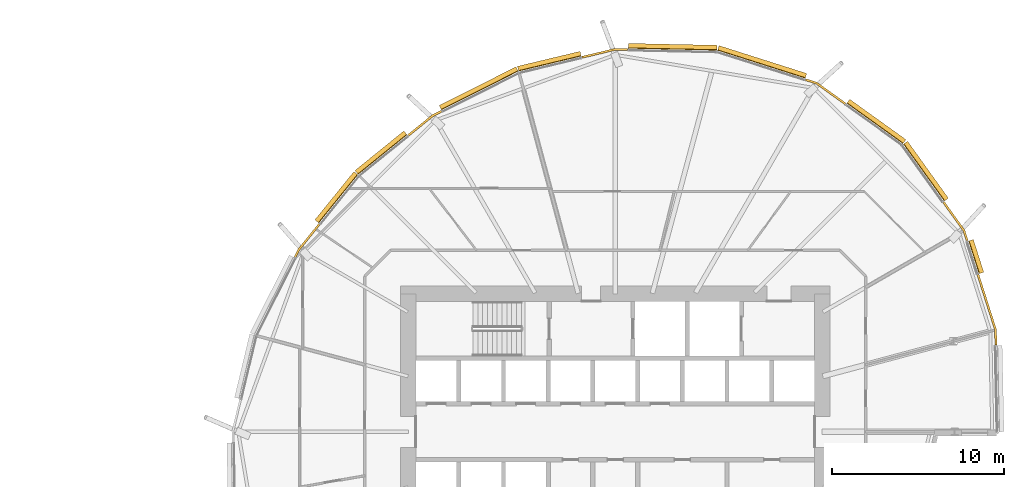
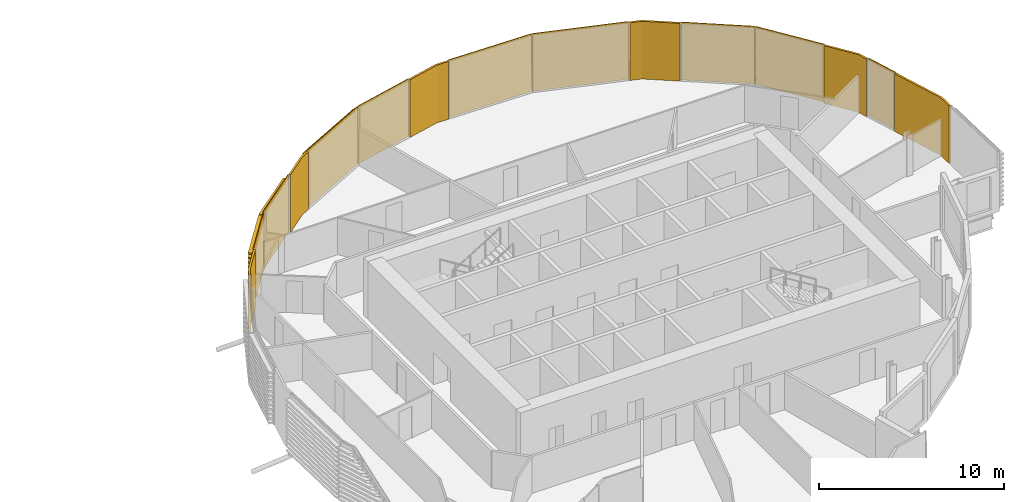
# One storey, part 38 of 38: 15 coverings.
"""IFC4 building model written with IfcOpenShell, lengths in metres."""

import ifcopenshell
import ifcopenshell.guid

model = None  # the IFC model being written
_history = None  # IfcOwnerHistory: only IFC2X3 demands one
_inside = {}  # id of a spatial element -> (the spatial element, [elements in it])
_under = {}  # id of a project, library or spatial element -> (it, [spatial elements below it])
_declared = {}  # id of a project -> (the project, [libraries it declares])
_typed = {}  # id of a type object -> (the type object, [elements of that type])
_made_of = {}  # id of a material, layer set ... -> (it, [elements and type objects made of it])


def new_model(schema):
    """Start an empty IFC model of exactly this schema.

    Asked for "IFC4X3", IfcOpenShell would pick the latest addendum, in which some entities
    have other attributes; the version numbers below select the first issue.
    IFC2X3 requires an IfcOwnerHistory on every rooted entity: one is made here for all.
    """
    global model, _history
    if schema == "IFC4X3":
        model = ifcopenshell.file(schema_version=(4, 3, 0, 0))
    else:
        model = ifcopenshell.file(schema=schema)
    _inside.clear()
    _under.clear()
    _declared.clear()
    _typed.clear()
    _made_of.clear()
    _history = None
    if model.schema == "IFC2X3":
        org = make("IfcOrganization", Name="unknown")
        user = make(
            "IfcPersonAndOrganization",
            ThePerson=make("IfcPerson", FamilyName="unknown"),
            TheOrganization=org,
        )
        app = make(
            "IfcApplication",
            ApplicationDeveloper=org,
            Version="unknown",
            ApplicationFullName="unknown",
            ApplicationIdentifier="unknown",
        )
        _history = make(
            "IfcOwnerHistory",
            OwningUser=user,
            OwningApplication=app,
            ChangeAction="ADDED",
            CreationDate=0,
        )
    return model


def make(cls, **values):
    """One entity of the class cls with the attributes given. An attribute that is None is left unset."""
    return model.create_entity(
        cls, **{name: value for name, value in values.items() if value is not None}
    )


def rooted(cls, **values):
    """An entity with a GlobalId (a new one), such as an element, a storey or a relation."""
    return make(cls, GlobalId=ifcopenshell.guid.new(), OwnerHistory=_history, **values)


def si_unit(unit_type, name, prefix=None):
    """IfcSIUnit, for example si_unit("LENGTHUNIT", "METRE", prefix="MILLI")."""
    return make("IfcSIUnit", UnitType=unit_type, Prefix=prefix, Name=name)


def assignment(units):
    """IfcUnitAssignment: the units of a project."""
    return None if units is None else make("IfcUnitAssignment", Units=units)


def point(xyz):
    """IfcCartesianPoint."""
    return None if xyz is None else make("IfcCartesianPoint", Coordinates=xyz)


def direction(xyz):
    """IfcDirection."""
    return None if xyz is None else make("IfcDirection", DirectionRatios=xyz)


def frame(location, z_axis=None, x_axis=None):
    """IfcAxis2Placement3D, a coordinate frame: its origin and axes. An axis left out is left unset."""
    return make(
        "IfcAxis2Placement3D",
        Location=point(location),
        Axis=direction(z_axis),
        RefDirection=direction(x_axis),
    )


def origin():
    """The frame at (0, 0, 0) with its axes left unset."""
    return frame((0.0, 0.0, 0.0))


def place(relative_to, where):
    """IfcLocalPlacement: puts the frame where relative to a parent placement (None: the world)."""
    return make(
        "IfcLocalPlacement", PlacementRelTo=relative_to, RelativePlacement=where
    )


def context(
    kind, dimensions, precision=None, world=None, true_north=None, identifier=None
):
    """IfcGeometricRepresentationContext, for example the 3D "Model" context."""
    return make(
        "IfcGeometricRepresentationContext",
        ContextIdentifier=identifier,
        ContextType=kind,
        CoordinateSpaceDimension=dimensions,
        Precision=precision,
        WorldCoordinateSystem=world,
        TrueNorth=true_north,
    )


def subcontext(parent, identifier, kind, view, scale=None):
    """IfcGeometricRepresentationSubContext, for example "Body" below "Model"."""
    return make(
        "IfcGeometricRepresentationSubContext",
        ContextIdentifier=identifier,
        ContextType=kind,
        ParentContext=parent,
        TargetScale=scale,
        TargetView=view,
    )


def project(units=None, contexts=None):
    """IfcProject with its units and contexts."""
    return rooted(
        "IfcProject",
        Name="project",
        RepresentationContexts=contexts,
        UnitsInContext=assignment(units),
    )


def spatial(cls, under=None, at=None, **own):
    """A site, building, storey or space (cls), placed at a placement, below another one or the project."""
    s = rooted(cls, ObjectPlacement=at, **own)
    if under is not None:
        _under.setdefault(under.id(), (under, []))[1].append(s)
    return s


def polyline(points):
    """IfcPolyline through the points."""
    return make("IfcPolyline", Points=[point(p) for p in points])


def outline(outer, holes=None, kind="AREA"):
    """IfcArbitraryClosedProfileDef: a profile drawn as a closed curve; with holes, ...WithVoids."""
    if holes is None:
        return make("IfcArbitraryClosedProfileDef", ProfileType=kind, OuterCurve=outer)
    return make(
        "IfcArbitraryProfileDefWithVoids",
        ProfileType=kind,
        OuterCurve=outer,
        InnerCurves=holes,
    )


def extrude(swept, where, along, depth):
    """IfcExtrudedAreaSolid: the profile swept, set in the frame where, extruded along a direction by depth."""
    return make(
        "IfcExtrudedAreaSolid",
        SweptArea=swept,
        Position=where,
        ExtrudedDirection=direction(along),
        Depth=depth,
    )


def shape(context_of_items, identifier, shape_type, items):
    """IfcShapeRepresentation: the items that make up one representation, for example the "Body"."""
    return make(
        "IfcShapeRepresentation",
        ContextOfItems=context_of_items,
        RepresentationIdentifier=identifier,
        RepresentationType=shape_type,
        Items=items,
    )


def material(Name=None, Category=None):
    """IfcMaterial."""
    return make("IfcMaterial", Name=Name, Category=Category)


def layer(
    of_material, thickness, ventilated=None, Name=None, Category=None, Priority=None
):
    """IfcMaterialLayer: one layer of a wall or slab, of a material (None: an air gap)."""
    return make(
        "IfcMaterialLayer",
        Material=of_material,
        LayerThickness=thickness,
        IsVentilated=ventilated,
        Name=Name,
        Category=Category,
        Priority=Priority,
    )


def layer_set(layers, Name=None):
    """IfcMaterialLayerSet."""
    return make("IfcMaterialLayerSet", MaterialLayers=layers, LayerSetName=Name)


def material_profile(
    of_material, cross_section, Name=None, Category=None, Priority=None
):
    """IfcMaterialProfile: a cross section and its material."""
    return make(
        "IfcMaterialProfile",
        Name=Name,
        Material=of_material,
        Profile=cross_section,
        Priority=Priority,
        Category=Category,
    )


def profile_set(profiles, Name=None, composite=None):
    """IfcMaterialProfileSet."""
    return make(
        "IfcMaterialProfileSet",
        Name=Name,
        MaterialProfiles=profiles,
        CompositeProfile=composite,
    )


def made_of(thing, what):
    """Note that an element or type object is made of a material, layer set ...; save() writes the relation."""
    if what is not None:
        _made_of.setdefault(what.id(), (what, []))[1].append(thing)
    return thing


def type_object(cls, material=None, **own):
    """A type object (cls), such as IfcWallType, which elements share."""
    return made_of(rooted(cls, **own), material)


def element(
    cls,
    number,
    at=None,
    inside=None,
    cuts=None,
    type_object=None,
    material=None,
    context=None,
    identifier="Body",
    shape_type=None,
    held_by="IfcProductDefinitionShape",
    body=None,
    shapes=None,
    **own,
):
    """One element of the class cls, such as IfcWall. Its Tag is "e" and its number.

    at: its placement. inside: the storey or other place that contains it. cuts: it is an
    opening in that element (IfcRelVoidsElement). A single representation is given by context,
    identifier, shape_type and body (its items); several are given by shapes. held_by: the class
    of the entity that holds the representations. save() writes the other relations.
    """
    e = rooted(cls, Tag="e%d" % number, ObjectPlacement=at, **own)
    if body is not None:
        shapes = [shape(context, identifier, shape_type, body)]
    if shapes is not None:
        e.Representation = make(held_by, Representations=shapes)
    if inside is not None:
        _inside.setdefault(inside.id(), (inside, []))[1].append(e)
    if cuts is not None:
        rooted(
            "IfcRelVoidsElement", RelatingBuildingElement=cuts, RelatedOpeningElement=e
        )
    if type_object is not None:
        _typed.setdefault(type_object.id(), (type_object, []))[1].append(e)
    return made_of(e, material)


def aggregate(whole, parts):
    """IfcRelAggregates: a whole, such as a stair, and the parts it consists of."""
    return rooted("IfcRelAggregates", RelatingObject=whole, RelatedObjects=parts)


def save(model, path):
    """Write the relations noted so far, then the file.

    IfcRelAggregates (storeys below a building ...), IfcRelContainedInSpatialStructure (elements
    in a storey), IfcRelDefinesByType, IfcRelAssociatesMaterial and IfcRelDeclares: one each for
    every whole, place, type object, material and project.
    """
    for whole, parts in _under.values():
        aggregate(whole, parts)
    for where, things in _inside.values():
        rooted(
            "IfcRelContainedInSpatialStructure",
            RelatedElements=things,
            RelatingStructure=where,
        )
    for kind, things in _typed.values():
        rooted("IfcRelDefinesByType", RelatedObjects=things, RelatingType=kind)
    for what, things in _made_of.values():
        rooted("IfcRelAssociatesMaterial", RelatedObjects=things, RelatingMaterial=what)
    for by, libraries in _declared.values():
        rooted("IfcRelDeclares", RelatingContext=by, RelatedDefinitions=libraries)
    model.write(path)


model = new_model("IFC4")

# Units and contexts
model_context = context("Model", 3, precision=1e-05, world=origin(), true_north=direction((0.0, 1.0)))
body_context = subcontext(model_context, "Body", "Model", "MODEL_VIEW")
ifc_project = project(units=[si_unit("LENGTHUNIT", "METRE"), si_unit("AREAUNIT", "SQUARE_METRE"), si_unit("VOLUMEUNIT", "CUBIC_METRE"), si_unit("PLANEANGLEUNIT", "RADIAN"), si_unit("MASSUNIT", "GRAM", prefix="KILO")], contexts=[model_context])

# Site, building, storey
site_placement = place(None, origin())
site = spatial("IfcSite", under=ifc_project, at=site_placement, CompositionType="ELEMENT")
building_placement = place(site_placement, origin())
building = spatial("IfcBuilding", under=site, at=building_placement, Name="Rimbun Link Towers", CompositionType="ELEMENT")
storey_placement = place(building_placement, frame((0.0, 0.0, 68.0)))
storey = spatial("IfcBuildingStorey", under=building, at=storey_placement, Name="L16", CompositionType="ELEMENT", Elevation=68.0)

# Coverings
ifc_material_1 = material(Name="Terracotta", Category="masonry")
ifc_layer = layer(ifc_material_1, 0.1201171875)
ifc_layer_set = layer_set([ifc_layer], Name="LINK PIER terracotta cladding 120")
covering_type_1 = type_object("IfcCoveringType", Name="LINK PIER terracotta cladding 120", PredefinedType="CLADDING", material=ifc_layer_set)
covering_1_placement = place(storey_placement, origin())
element("IfcCovering", 1, at=covering_1_placement, inside=storey, type_object=covering_type_1, Name="LINK PIER cladding", PredefinedType="CLADDING", context=body_context, shape_type="SweptSolid", body=[
    extrude(outline(polyline([(42.759765625, 20.378662109375), (43.398193359375, 20.175537109375), (45.080078125, 18.96875), (45.150146484375, 19.066162109375), (43.452880859375, 20.2841796875), (42.796142578125, 20.492919921875), (42.759765625, 20.378662109375)])), origin(), (0.0, 0.0, 1.0), 3.800048828125),
])
covering_2_placement = place(storey_placement, origin())
element("IfcCovering", 2, at=covering_2_placement, inside=storey, type_object=covering_type_1, Name="LINK PIER cladding", PredefinedType="CLADDING", context=body_context, shape_type="SweptSolid", body=[
    extrude(outline(polyline([(29.833984375, 21.670654296875), (31.75, 22.12890625), (32.4697265625, 22.11376953125), (32.472412109375, 22.23388671875), (31.737060546875, 22.249267578125), (29.80615234375, 21.78759765625), (29.833984375, 21.670654296875)])), origin(), (0.0, 0.0, 1.0), 3.800048828125),
])
covering_3_placement = place(storey_placement, origin())
element("IfcCovering", 3, at=covering_3_placement, inside=storey, type_object=covering_type_1, Name="LINK PIER cladding", PredefinedType="CLADDING", context=body_context, shape_type="SweptSolid", body=[
    extrude(outline(polyline([(19.77490234375, 17.146240234375), (21.189453125, 18.291259765625), (21.698974609375, 18.547119140625), (21.64501953125, 18.654296875), (21.1240234375, 18.392822265625), (19.699462890625, 17.239501953125), (19.77490234375, 17.146240234375)])), origin(), (0.0, 0.0, 1.0), 3.800048828125),
])
covering_4_placement = place(storey_placement, origin())
element("IfcCovering", 4, at=covering_4_placement, inside=storey, type_object=covering_type_1, Name="LINK PIER cladding", PredefinedType="CLADDING", context=body_context, shape_type="SweptSolid", body=[
    extrude(outline(polyline([(13.225341796875, 10.095703125), (13.458740234375, 10.560546875), (14.63525390625, 12.013916015625), (14.5419921875, 12.089599609375), (13.357177734375, 10.6259765625), (13.1181640625, 10.149658203125), (13.225341796875, 10.095703125)])), origin(), (0.0, 0.0, 1.0), 3.800048828125),
])
covering_5_placement = place(storey_placement, origin())
element("IfcCovering", 5, at=covering_5_placement, inside=storey, type_object=covering_type_1, Name="LINK PIER cladding", PredefinedType="CLADDING", context=body_context, shape_type="SweptSolid", body=[
    extrude(outline(polyline([(52.7333984375, 9.107666015625), (53.7548828125, 5.896240234375), (53.773193359375, 5.0263671875), (53.89306640625, 5.02880859375), (53.87451171875, 5.916015625), (52.847900390625, 9.14404296875), (52.7333984375, 9.107666015625)])), origin(), (0.0, 0.0, 1.0), 3.800048828125),
])
covering_6_placement = place(storey_placement, origin())
element("IfcCovering", 6, at=covering_6_placement, inside=storey, type_object=covering_type_1, Name="LINK PIER cladding", PredefinedType="CLADDING", context=body_context, shape_type="SweptSolid", body=[
    extrude(outline(polyline([(50.747802734375, 13.28955078125), (51.925537109375, 11.648193359375), (52.11328125, 11.057373046875), (52.227783203125, 11.09375), (52.0341796875, 11.702880859375), (50.84521484375, 13.359375), (50.747802734375, 13.28955078125)])), origin(), (0.0, 0.0, 1.0), 3.800048828125),
])
ifc_material_2 = material(Name="Terracotta", Category="masonry")
ifc_material_profile = material_profile(ifc_material_2, outline(polyline([(0.123046875, 0.0), (0.1630859375, 0.0), (0.1630859375, 0.10009765625), (0.423095703125, 0.10009765625), (0.423095703125, 0.219970703125), (0.1630859375, 0.219970703125), (0.1630859375, 0.39990234375), (0.423095703125, 0.39990234375), (0.423095703125, 0.52001953125), (0.1630859375, 0.52001953125), (0.1630859375, 0.699951171875), (0.423095703125, 0.699951171875), (0.423095703125, 0.820068359375), (0.1630859375, 0.820068359375), (0.1630859375, 1.0), (0.423095703125, 1.0), (0.423095703125, 1.1201171875), (0.1630859375, 1.1201171875), (0.1630859375, 1.300048828125), (0.423095703125, 1.300048828125), (0.423095703125, 1.419921875), (0.1630859375, 1.419921875), (0.1630859375, 1.60009765625), (0.423095703125, 1.60009765625), (0.423095703125, 1.719970703125), (0.1630859375, 1.719970703125), (0.1630859375, 1.89990234375), (0.423095703125, 1.89990234375), (0.423095703125, 2.02001953125), (0.1630859375, 2.02001953125), (0.1630859375, 2.199951171875), (0.423095703125, 2.199951171875), (0.423095703125, 2.320068359375), (0.1630859375, 2.320068359375), (0.1630859375, 2.5), (0.423095703125, 2.5), (0.423095703125, 2.6201171875), (0.1630859375, 2.6201171875), (0.1630859375, 2.800048828125), (0.423095703125, 2.800048828125), (0.423095703125, 2.919921875), (0.1630859375, 2.919921875), (0.1630859375, 3.10009765625), (0.423095703125, 3.10009765625), (0.423095703125, 3.219970703125), (0.1630859375, 3.219970703125), (0.1630859375, 3.39990234375), (0.423095703125, 3.39990234375), (0.423095703125, 3.52001953125), (0.1630859375, 3.52001953125), (0.1630859375, 3.800048828125), (0.123046875, 3.800048828125), (0.123046875, 0.0)])), Name="BAGUETTE 120X300")
ifc_profile_set = profile_set([ifc_material_profile], Name="Terracotta")
covering_type_2 = type_object("IfcCoveringType", Name="TERRACOTTA BAGUETTE 120X300 H3800", PredefinedType="CLADDING", material=ifc_profile_set)
covering_7_placement = place(storey_placement, frame((45.1044921875, 18.951171875, 0.0), z_axis=(0.812481209702, -0.582987378835, 0.0), x_axis=(0.582987378835, 0.812481209702, 0.0)))
element("IfcCovering", 7, at=covering_7_placement, inside=storey, type_object=covering_type_2, Name="TERRACOTTA BAGUETTE", PredefinedType="CLADDING", context=body_context, shape_type="SweptSolid", body=[
    extrude(outline(polyline([(0.123046875, 0.0), (0.1630859375, 0.0), (0.1630859375, 0.10009765625), (0.423095703125, 0.10009765625), (0.423095703125, 0.219970703125), (0.1630859375, 0.219970703125), (0.1630859375, 0.39990234375), (0.423095703125, 0.39990234375), (0.423095703125, 0.52001953125), (0.1630859375, 0.52001953125), (0.1630859375, 0.699951171875), (0.423095703125, 0.699951171875), (0.423095703125, 0.820068359375), (0.1630859375, 0.820068359375), (0.1630859375, 1.0), (0.423095703125, 1.0), (0.423095703125, 1.1201171875), (0.1630859375, 1.1201171875), (0.1630859375, 1.300048828125), (0.423095703125, 1.300048828125), (0.423095703125, 1.419921875), (0.1630859375, 1.419921875), (0.1630859375, 1.60009765625), (0.423095703125, 1.60009765625), (0.423095703125, 1.719970703125), (0.1630859375, 1.719970703125), (0.1630859375, 1.89990234375), (0.423095703125, 1.89990234375), (0.423095703125, 2.02001953125), (0.1630859375, 2.02001953125), (0.1630859375, 2.199951171875), (0.423095703125, 2.199951171875), (0.423095703125, 2.320068359375), (0.1630859375, 2.320068359375), (0.1630859375, 2.5), (0.423095703125, 2.5), (0.423095703125, 2.6201171875), (0.1630859375, 2.6201171875), (0.1630859375, 2.800048828125), (0.423095703125, 2.800048828125), (0.423095703125, 2.919921875), (0.1630859375, 2.919921875), (0.1630859375, 3.10009765625), (0.423095703125, 3.10009765625), (0.423095703125, 3.219970703125), (0.1630859375, 3.219970703125), (0.1630859375, 3.39990234375), (0.423095703125, 3.39990234375), (0.423095703125, 3.52001953125), (0.1630859375, 3.52001953125), (0.1630859375, 3.800048828125), (0.123046875, 3.800048828125), (0.123046875, 0.0)])), origin(), (0.0, 0.0, 1.0), 4.010498046875),
])
covering_8_placement = place(storey_placement, frame((37.646240234375, 22.0048828125, 0.0), z_axis=(0.952966632443, -0.303075233978, 0.0), x_axis=(0.303075233978, 0.952966632443, 0.0)))
element("IfcCovering", 8, at=covering_8_placement, inside=storey, type_object=covering_type_2, Name="TERRACOTTA BAGUETTE", PredefinedType="CLADDING", context=body_context, shape_type="SweptSolid", body=[
    extrude(outline(polyline([(0.123046875, 0.0), (0.1630859375, 0.0), (0.1630859375, 0.10009765625), (0.423095703125, 0.10009765625), (0.423095703125, 0.219970703125), (0.1630859375, 0.219970703125), (0.1630859375, 0.39990234375), (0.423095703125, 0.39990234375), (0.423095703125, 0.52001953125), (0.1630859375, 0.52001953125), (0.1630859375, 0.699951171875), (0.423095703125, 0.699951171875), (0.423095703125, 0.820068359375), (0.1630859375, 0.820068359375), (0.1630859375, 1.0), (0.423095703125, 1.0), (0.423095703125, 1.1201171875), (0.1630859375, 1.1201171875), (0.1630859375, 1.300048828125), (0.423095703125, 1.300048828125), (0.423095703125, 1.419921875), (0.1630859375, 1.419921875), (0.1630859375, 1.60009765625), (0.423095703125, 1.60009765625), (0.423095703125, 1.719970703125), (0.1630859375, 1.719970703125), (0.1630859375, 1.89990234375), (0.423095703125, 1.89990234375), (0.423095703125, 2.02001953125), (0.1630859375, 2.02001953125), (0.1630859375, 2.199951171875), (0.423095703125, 2.199951171875), (0.423095703125, 2.320068359375), (0.1630859375, 2.320068359375), (0.1630859375, 2.5), (0.423095703125, 2.5), (0.423095703125, 2.6201171875), (0.1630859375, 2.6201171875), (0.1630859375, 2.800048828125), (0.423095703125, 2.800048828125), (0.423095703125, 2.919921875), (0.1630859375, 2.919921875), (0.1630859375, 3.10009765625), (0.423095703125, 3.10009765625), (0.423095703125, 3.219970703125), (0.1630859375, 3.219970703125), (0.1630859375, 3.39990234375), (0.423095703125, 3.39990234375), (0.423095703125, 3.52001953125), (0.1630859375, 3.52001953125), (0.1630859375, 3.800048828125), (0.123046875, 3.800048828125), (0.123046875, 0.0)])), origin(), (0.0, 0.0, 1.0), 5.3359375),
])
covering_9_placement = place(storey_placement, frame((32.499755859375, 22.11328125, 0.0), z_axis=(0.999778256826, -0.021057948104, 0.0), x_axis=(0.021057948104, 0.999778256826, 0.0)))
element("IfcCovering", 9, at=covering_9_placement, inside=storey, type_object=covering_type_2, Name="TERRACOTTA BAGUETTE", PredefinedType="CLADDING", context=body_context, shape_type="SweptSolid", body=[
    extrude(outline(polyline([(0.123046875, 0.0), (0.1630859375, 0.0), (0.1630859375, 0.10009765625), (0.423095703125, 0.10009765625), (0.423095703125, 0.219970703125), (0.1630859375, 0.219970703125), (0.1630859375, 0.39990234375), (0.423095703125, 0.39990234375), (0.423095703125, 0.52001953125), (0.1630859375, 0.52001953125), (0.1630859375, 0.699951171875), (0.423095703125, 0.699951171875), (0.423095703125, 0.820068359375), (0.1630859375, 0.820068359375), (0.1630859375, 1.0), (0.423095703125, 1.0), (0.423095703125, 1.1201171875), (0.1630859375, 1.1201171875), (0.1630859375, 1.300048828125), (0.423095703125, 1.300048828125), (0.423095703125, 1.419921875), (0.1630859375, 1.419921875), (0.1630859375, 1.60009765625), (0.423095703125, 1.60009765625), (0.423095703125, 1.719970703125), (0.1630859375, 1.719970703125), (0.1630859375, 1.89990234375), (0.423095703125, 1.89990234375), (0.423095703125, 2.02001953125), (0.1630859375, 2.02001953125), (0.1630859375, 2.199951171875), (0.423095703125, 2.199951171875), (0.423095703125, 2.320068359375), (0.1630859375, 2.320068359375), (0.1630859375, 2.5), (0.423095703125, 2.5), (0.423095703125, 2.6201171875), (0.1630859375, 2.6201171875), (0.1630859375, 2.800048828125), (0.423095703125, 2.800048828125), (0.423095703125, 2.919921875), (0.1630859375, 2.919921875), (0.1630859375, 3.10009765625), (0.423095703125, 3.10009765625), (0.423095703125, 3.219970703125), (0.1630859375, 3.219970703125), (0.1630859375, 3.39990234375), (0.423095703125, 3.39990234375), (0.423095703125, 3.52001953125), (0.1630859375, 3.52001953125), (0.1630859375, 3.800048828125), (0.123046875, 3.800048828125), (0.123046875, 0.0)])), origin(), (0.0, 0.0, 1.0), 5.147705078125),
])
covering_10_placement = place(storey_placement, frame((26.177490234375, 20.79638671875, 0.0), z_axis=(0.972578891654, 0.232573213222, 0.0), x_axis=(-0.232573213222, 0.972578891654, 0.0)))
element("IfcCovering", 10, at=covering_10_placement, inside=storey, type_object=covering_type_2, Name="TERRACOTTA BAGUETTE", PredefinedType="CLADDING", context=body_context, shape_type="SweptSolid", body=[
    extrude(outline(polyline([(0.123046875, 0.0), (0.1630859375, 0.0), (0.1630859375, 0.10009765625), (0.423095703125, 0.10009765625), (0.423095703125, 0.219970703125), (0.1630859375, 0.219970703125), (0.1630859375, 0.39990234375), (0.423095703125, 0.39990234375), (0.423095703125, 0.52001953125), (0.1630859375, 0.52001953125), (0.1630859375, 0.699951171875), (0.423095703125, 0.699951171875), (0.423095703125, 0.820068359375), (0.1630859375, 0.820068359375), (0.1630859375, 1.0), (0.423095703125, 1.0), (0.423095703125, 1.1201171875), (0.1630859375, 1.1201171875), (0.1630859375, 1.300048828125), (0.423095703125, 1.300048828125), (0.423095703125, 1.419921875), (0.1630859375, 1.419921875), (0.1630859375, 1.60009765625), (0.423095703125, 1.60009765625), (0.423095703125, 1.719970703125), (0.1630859375, 1.719970703125), (0.1630859375, 1.89990234375), (0.423095703125, 1.89990234375), (0.423095703125, 2.02001953125), (0.1630859375, 2.02001953125), (0.1630859375, 2.199951171875), (0.423095703125, 2.199951171875), (0.423095703125, 2.320068359375), (0.1630859375, 2.320068359375), (0.1630859375, 2.5), (0.423095703125, 2.5), (0.423095703125, 2.6201171875), (0.1630859375, 2.6201171875), (0.1630859375, 2.800048828125), (0.423095703125, 2.800048828125), (0.423095703125, 2.919921875), (0.1630859375, 2.919921875), (0.1630859375, 3.10009765625), (0.423095703125, 3.10009765625), (0.423095703125, 3.219970703125), (0.1630859375, 3.219970703125), (0.1630859375, 3.39990234375), (0.423095703125, 3.39990234375), (0.423095703125, 3.52001953125), (0.1630859375, 3.52001953125), (0.1630859375, 3.800048828125), (0.123046875, 3.800048828125), (0.123046875, 0.0)])), origin(), (0.0, 0.0, 1.0), 3.729736328125),
])
covering_11_placement = place(storey_placement, frame((21.7255859375, 18.560546875, 0.0), z_axis=(0.893631877808, 0.44880069849, 0.0), x_axis=(-0.44880069849, 0.893631877808, 0.0)))
element("IfcCovering", 11, at=covering_11_placement, inside=storey, type_object=covering_type_2, Name="TERRACOTTA BAGUETTE", PredefinedType="CLADDING", context=body_context, shape_type="SweptSolid", body=[
    extrude(outline(polyline([(0.123046875, 0.0), (0.1630859375, 0.0), (0.1630859375, 0.10009765625), (0.423095703125, 0.10009765625), (0.423095703125, 0.219970703125), (0.1630859375, 0.219970703125), (0.1630859375, 0.39990234375), (0.423095703125, 0.39990234375), (0.423095703125, 0.52001953125), (0.1630859375, 0.52001953125), (0.1630859375, 0.699951171875), (0.423095703125, 0.699951171875), (0.423095703125, 0.820068359375), (0.1630859375, 0.820068359375), (0.1630859375, 1.0), (0.423095703125, 1.0), (0.423095703125, 1.1201171875), (0.1630859375, 1.1201171875), (0.1630859375, 1.300048828125), (0.423095703125, 1.300048828125), (0.423095703125, 1.419921875), (0.1630859375, 1.419921875), (0.1630859375, 1.60009765625), (0.423095703125, 1.60009765625), (0.423095703125, 1.719970703125), (0.1630859375, 1.719970703125), (0.1630859375, 1.89990234375), (0.423095703125, 1.89990234375), (0.423095703125, 2.02001953125), (0.1630859375, 2.02001953125), (0.1630859375, 2.199951171875), (0.423095703125, 2.199951171875), (0.423095703125, 2.320068359375), (0.1630859375, 2.320068359375), (0.1630859375, 2.5), (0.423095703125, 2.5), (0.423095703125, 2.6201171875), (0.1630859375, 2.6201171875), (0.1630859375, 2.800048828125), (0.423095703125, 2.800048828125), (0.423095703125, 2.919921875), (0.1630859375, 2.919921875), (0.1630859375, 3.10009765625), (0.423095703125, 3.10009765625), (0.423095703125, 3.219970703125), (0.1630859375, 3.219970703125), (0.1630859375, 3.39990234375), (0.423095703125, 3.39990234375), (0.423095703125, 3.52001953125), (0.1630859375, 3.52001953125), (0.1630859375, 3.800048828125), (0.123046875, 3.800048828125), (0.123046875, 0.0)])), origin(), (0.0, 0.0, 1.0), 4.981689453125),
])
covering_12_placement = place(storey_placement, frame((16.9169921875, 14.8330078125, 0.0), z_axis=(0.777263579055, 0.629175117654, 0.0), x_axis=(-0.629175117654, 0.777263579055, 0.0)))
element("IfcCovering", 12, at=covering_12_placement, inside=storey, type_object=covering_type_2, Name="TERRACOTTA BAGUETTE", PredefinedType="CLADDING", context=body_context, shape_type="SweptSolid", body=[
    extrude(outline(polyline([(0.123046875, 0.0), (0.1630859375, 0.0), (0.1630859375, 0.10009765625), (0.423095703125, 0.10009765625), (0.423095703125, 0.219970703125), (0.1630859375, 0.219970703125), (0.1630859375, 0.39990234375), (0.423095703125, 0.39990234375), (0.423095703125, 0.52001953125), (0.1630859375, 0.52001953125), (0.1630859375, 0.699951171875), (0.423095703125, 0.699951171875), (0.423095703125, 0.820068359375), (0.1630859375, 0.820068359375), (0.1630859375, 1.0), (0.423095703125, 1.0), (0.423095703125, 1.1201171875), (0.1630859375, 1.1201171875), (0.1630859375, 1.300048828125), (0.423095703125, 1.300048828125), (0.423095703125, 1.419921875), (0.1630859375, 1.419921875), (0.1630859375, 1.60009765625), (0.423095703125, 1.60009765625), (0.423095703125, 1.719970703125), (0.1630859375, 1.719970703125), (0.1630859375, 1.89990234375), (0.423095703125, 1.89990234375), (0.423095703125, 2.02001953125), (0.1630859375, 2.02001953125), (0.1630859375, 2.199951171875), (0.423095703125, 2.199951171875), (0.423095703125, 2.320068359375), (0.1630859375, 2.320068359375), (0.1630859375, 2.5), (0.423095703125, 2.5), (0.423095703125, 2.6201171875), (0.1630859375, 2.6201171875), (0.1630859375, 2.800048828125), (0.423095703125, 2.800048828125), (0.423095703125, 2.919921875), (0.1630859375, 2.919921875), (0.1630859375, 3.10009765625), (0.423095703125, 3.10009765625), (0.423095703125, 3.219970703125), (0.1630859375, 3.219970703125), (0.1630859375, 3.39990234375), (0.423095703125, 3.39990234375), (0.423095703125, 3.52001953125), (0.1630859375, 3.52001953125), (0.1630859375, 3.800048828125), (0.123046875, 3.800048828125), (0.123046875, 0.0)])), origin(), (0.0, 0.0, 1.0), 3.646728515625),
])
covering_13_placement = place(storey_placement, frame((14.654052734375, 12.037353515625, 0.0), z_axis=(0.629163080132, 0.777273322968, 0.0), x_axis=(-0.777273322968, 0.629163080132, 0.0)))
element("IfcCovering", 13, at=covering_13_placement, inside=storey, type_object=covering_type_2, Name="TERRACOTTA BAGUETTE", PredefinedType="CLADDING", context=body_context, shape_type="SweptSolid", body=[
    extrude(outline(polyline([(0.123046875, 0.0), (0.1630859375, 0.0), (0.1630859375, 0.10009765625), (0.423095703125, 0.10009765625), (0.423095703125, 0.219970703125), (0.1630859375, 0.219970703125), (0.1630859375, 0.39990234375), (0.423095703125, 0.39990234375), (0.423095703125, 0.52001953125), (0.1630859375, 0.52001953125), (0.1630859375, 0.699951171875), (0.423095703125, 0.699951171875), (0.423095703125, 0.820068359375), (0.1630859375, 0.820068359375), (0.1630859375, 1.0), (0.423095703125, 1.0), (0.423095703125, 1.1201171875), (0.1630859375, 1.1201171875), (0.1630859375, 1.300048828125), (0.423095703125, 1.300048828125), (0.423095703125, 1.419921875), (0.1630859375, 1.419921875), (0.1630859375, 1.60009765625), (0.423095703125, 1.60009765625), (0.423095703125, 1.719970703125), (0.1630859375, 1.719970703125), (0.1630859375, 1.89990234375), (0.423095703125, 1.89990234375), (0.423095703125, 2.02001953125), (0.1630859375, 2.02001953125), (0.1630859375, 2.199951171875), (0.423095703125, 2.199951171875), (0.423095703125, 2.320068359375), (0.1630859375, 2.320068359375), (0.1630859375, 2.5), (0.423095703125, 2.5), (0.423095703125, 2.6201171875), (0.1630859375, 2.6201171875), (0.1630859375, 2.800048828125), (0.423095703125, 2.800048828125), (0.423095703125, 2.919921875), (0.1630859375, 2.919921875), (0.1630859375, 3.10009765625), (0.423095703125, 3.10009765625), (0.423095703125, 3.219970703125), (0.1630859375, 3.219970703125), (0.1630859375, 3.39990234375), (0.423095703125, 3.39990234375), (0.423095703125, 3.52001953125), (0.1630859375, 3.52001953125), (0.1630859375, 3.800048828125), (0.123046875, 3.800048828125), (0.123046875, 0.0)])), origin(), (0.0, 0.0, 1.0), 3.5966796875),
])
covering_14_placement = place(storey_placement, frame((52.12255859375, 11.02880859375, 0.0), z_axis=(0.303031130218, -0.952980657788, 0.0), x_axis=(0.952980657788, 0.303031130218, 0.0)))
element("IfcCovering", 14, at=covering_14_placement, inside=storey, type_object=covering_type_2, Name="TERRACOTTA BAGUETTE", PredefinedType="CLADDING", context=body_context, shape_type="SweptSolid", body=[
    extrude(outline(polyline([(0.123046875, 0.0), (0.1630859375, 0.0), (0.1630859375, 0.10009765625), (0.423095703125, 0.10009765625), (0.423095703125, 0.219970703125), (0.1630859375, 0.219970703125), (0.1630859375, 0.39990234375), (0.423095703125, 0.39990234375), (0.423095703125, 0.52001953125), (0.1630859375, 0.52001953125), (0.1630859375, 0.699951171875), (0.423095703125, 0.699951171875), (0.423095703125, 0.820068359375), (0.1630859375, 0.820068359375), (0.1630859375, 1.0), (0.423095703125, 1.0), (0.423095703125, 1.1201171875), (0.1630859375, 1.1201171875), (0.1630859375, 1.300048828125), (0.423095703125, 1.300048828125), (0.423095703125, 1.419921875), (0.1630859375, 1.419921875), (0.1630859375, 1.60009765625), (0.423095703125, 1.60009765625), (0.423095703125, 1.719970703125), (0.1630859375, 1.719970703125), (0.1630859375, 1.89990234375), (0.423095703125, 1.89990234375), (0.423095703125, 2.02001953125), (0.1630859375, 2.02001953125), (0.1630859375, 2.199951171875), (0.423095703125, 2.199951171875), (0.423095703125, 2.320068359375), (0.1630859375, 2.320068359375), (0.1630859375, 2.5), (0.423095703125, 2.5), (0.423095703125, 2.6201171875), (0.1630859375, 2.6201171875), (0.1630859375, 2.800048828125), (0.423095703125, 2.800048828125), (0.423095703125, 2.919921875), (0.1630859375, 2.919921875), (0.1630859375, 3.10009765625), (0.423095703125, 3.10009765625), (0.423095703125, 3.219970703125), (0.1630859375, 3.219970703125), (0.1630859375, 3.39990234375), (0.423095703125, 3.39990234375), (0.423095703125, 3.52001953125), (0.1630859375, 3.52001953125), (0.1630859375, 3.800048828125), (0.123046875, 3.800048828125), (0.123046875, 0.0)])), origin(), (0.0, 0.0, 1.0), 1.98583984375),
])
covering_15_placement = place(storey_placement, frame((48.363037109375, 16.613037109375, 0.0), z_axis=(0.583022639923, -0.812455907319, 0.0), x_axis=(0.812455907319, 0.583022639923, 0.0)))
element("IfcCovering", 15, at=covering_15_placement, inside=storey, type_object=covering_type_2, Name="TERRACOTTA BAGUETTE", PredefinedType="CLADDING", context=body_context, shape_type="SweptSolid", body=[
    extrude(outline(polyline([(0.123046875, 0.0), (0.1630859375, 0.0), (0.1630859375, 0.10009765625), (0.423095703125, 0.10009765625), (0.423095703125, 0.219970703125), (0.1630859375, 0.219970703125), (0.1630859375, 0.39990234375), (0.423095703125, 0.39990234375), (0.423095703125, 0.52001953125), (0.1630859375, 0.52001953125), (0.1630859375, 0.699951171875), (0.423095703125, 0.699951171875), (0.423095703125, 0.820068359375), (0.1630859375, 0.820068359375), (0.1630859375, 1.0), (0.423095703125, 1.0), (0.423095703125, 1.1201171875), (0.1630859375, 1.1201171875), (0.1630859375, 1.300048828125), (0.423095703125, 1.300048828125), (0.423095703125, 1.419921875), (0.1630859375, 1.419921875), (0.1630859375, 1.60009765625), (0.423095703125, 1.60009765625), (0.423095703125, 1.719970703125), (0.1630859375, 1.719970703125), (0.1630859375, 1.89990234375), (0.423095703125, 1.89990234375), (0.423095703125, 2.02001953125), (0.1630859375, 2.02001953125), (0.1630859375, 2.199951171875), (0.423095703125, 2.199951171875), (0.423095703125, 2.320068359375), (0.1630859375, 2.320068359375), (0.1630859375, 2.5), (0.423095703125, 2.5), (0.423095703125, 2.6201171875), (0.1630859375, 2.6201171875), (0.1630859375, 2.800048828125), (0.423095703125, 2.800048828125), (0.423095703125, 2.919921875), (0.1630859375, 2.919921875), (0.1630859375, 3.10009765625), (0.423095703125, 3.10009765625), (0.423095703125, 3.219970703125), (0.1630859375, 3.219970703125), (0.1630859375, 3.39990234375), (0.423095703125, 3.39990234375), (0.423095703125, 3.52001953125), (0.1630859375, 3.52001953125), (0.1630859375, 3.800048828125), (0.123046875, 3.800048828125), (0.123046875, 0.0)])), origin(), (0.0, 0.0, 1.0), 4.060546875),
])

save(model, "model.ifc")
